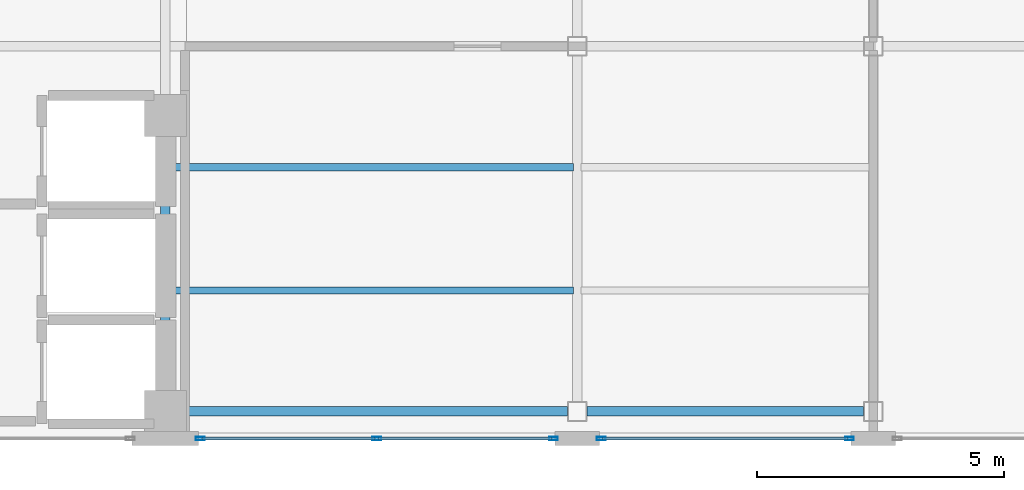
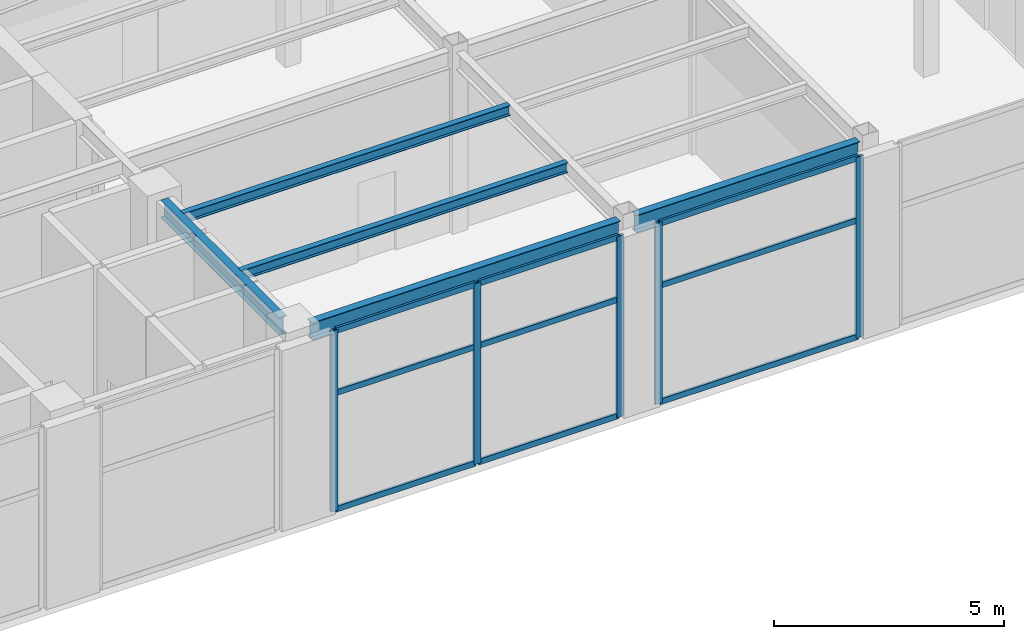
# One storey, part 4 of 14: 14 members, 5 beams, 2 elements without a shape of their own.
"""IFC4 building model written with IfcOpenShell, lengths in metres."""

from ifc_helpers import new_model, si_unit, direction, frame, origin, origin_2d, place, context, subcontext, project, spatial, hollow_rectangle, i_section, extrude, material, layer, layer_set, material_profile, profile_set, type_object, element, aggregate, save


model = new_model("IFC4")

# Units and contexts
model_context = context("Model", 3, precision=1e-05, world=origin(), true_north=direction((0.0, 1.0)))
body_context = subcontext(model_context, "Body", "Model", "MODEL_VIEW")
ifc_project = project(units=[si_unit("LENGTHUNIT", "METRE"), si_unit("AREAUNIT", "SQUARE_METRE"), si_unit("VOLUMEUNIT", "CUBIC_METRE"), si_unit("PLANEANGLEUNIT", "RADIAN"), si_unit("MASSUNIT", "GRAM", prefix="KILO")], contexts=[model_context])

# Site, building, storey
site_placement = place(None, origin())
site = spatial("IfcSite", under=ifc_project, at=site_placement, CompositionType="ELEMENT")
building_placement = place(site_placement, origin())
building = spatial("IfcBuilding", under=site, at=building_placement, Name="Mawjaban Terraces University", CompositionType="ELEMENT")
storey_placement = place(building_placement, frame((0.0, 0.0, 243.199951171875)))
storey = spatial("IfcBuildingStorey", under=building, at=storey_placement, Name="L59", CompositionType="ELEMENT", Elevation=243.199951171875)

# Beams
ifc_material_1 = material(Name="Steel ASTM A572 Grade 50", Category="steel")
ifc_material_profile_1 = material_profile(ifc_material_1, i_section(OverallWidth=0.19189453125, OverallDepth=0.462890625, WebThickness=0.010498046875, FlangeThickness=0.017578125, at=origin_2d()), Name="W460X89")
ifc_profile_set_1 = profile_set([ifc_material_profile_1], Name="Steel ASTM A572 Grade 50")
beam_type_1 = type_object("IfcBeamType", Name="Beam_B_W460X89", PredefinedType="BEAM", material=ifc_profile_set_1)
beam_1_placement = place(storey_placement, frame((38.074951171875, 0.550048828125, 4.55810546875), z_axis=(1.0, 0.0, 0.0), x_axis=(0.0, 1.0, 0.0)))
element("IfcBeam", 1, at=beam_1_placement, inside=storey, type_object=beam_type_1, Name="L59 Beam BM-L59-EW-01", PredefinedType="BEAM", context=body_context, shape_type="SweptSolid", body=[
    extrude(i_section(OverallWidth=0.19189453125, OverallDepth=0.462890625, WebThickness=0.010498046875, FlangeThickness=0.017578125, at=origin_2d()), origin(), (0.0, 0.0, 1.0), 7.72509765625),
])
beam_2_placement = place(storey_placement, frame((46.199951171875, 0.550048828125, 4.55810546875), z_axis=(1.0, 0.0, 0.0), x_axis=(0.0, 1.0, 0.0)))
element("IfcBeam", 2, at=beam_2_placement, inside=storey, type_object=beam_type_1, Name="L59 Beam BM-L59-EW-02", PredefinedType="BEAM", context=body_context, shape_type="SweptSolid", body=[
    extrude(i_section(OverallWidth=0.19189453125, OverallDepth=0.462890625, WebThickness=0.010498046875, FlangeThickness=0.017578125, at=origin_2d()), origin(), (0.0, 0.0, 1.0), 5.60009765625),
])
beam_3_placement = place(storey_placement, frame((37.64990234375, 0.97509765625, 4.55810546875), z_axis=(0.0, 1.0, 0.0), x_axis=(-1.0, 0.0, 0.0)))
element("IfcBeam", 3, at=beam_3_placement, inside=storey, type_object=beam_type_1, Name="L59 Beam BM-L59-NS-04", PredefinedType="BEAM", context=body_context, shape_type="SweptSolid", body=[
    extrude(i_section(OverallWidth=0.19189453125, OverallDepth=0.462890625, WebThickness=0.010498046875, FlangeThickness=0.017578125, at=origin_2d()), origin(), (0.0, 0.0, 1.0), 5.14990234375),
])
ifc_material_profile_2 = material_profile(ifc_material_1, i_section(OverallWidth=0.14794921875, OverallDepth=0.26611328125, WebThickness=0.007568359375, FlangeThickness=0.012939453125, at=origin_2d()), Name="W250X45")
ifc_profile_set_2 = profile_set([ifc_material_profile_2], Name="Steel ASTM A572 Grade 50")
beam_type_2 = type_object("IfcBeamType", Name="Beam_J_W250X45", PredefinedType="JOIST", material=ifc_profile_set_2)
for number, where, z_axis, x_axis, name in (
    (4, (37.72998046875, 3.0, 4.656982421875), (1.0, 0.0, 0.0), (0.0, 1.0, 0.0), "L59 Composite Joist JST-L59-01"),
    (5, (37.72998046875, 5.5, 4.656982421875), (1.0, 0.0, 0.0), (0.0, 1.0, 0.0), "L59 Composite Joist JST-L59-03"),
):
    element("IfcBeam", number, at=place(storey_placement, frame(where, z_axis=z_axis, x_axis=x_axis)), inside=storey, type_object=beam_type_2, Name=name, PredefinedType="JOIST", context=body_context, shape_type="SweptSolid", body=[
        extrude(i_section(OverallWidth=0.14794921875, OverallDepth=0.26611328125, WebThickness=0.007568359375, FlangeThickness=0.012939453125, at=origin_2d()), origin(), (0.0, 0.0, 1.0), 8.18994140625),
    ])

# Curtain wall, members
ifc_material_2 = material(Name="Anodised aluminium 6063-T6 and solar-control low-E glass", Category="aluminium")
ifc_layer = layer(ifc_material_2, 0.18994140625)
ifc_layer_set = layer_set([ifc_layer], Name="Anodised aluminium 6063-T6 and solar-control low-E glass")
curtain_wall_type = type_object("IfcCurtainWallType", Name="CWSystem_05_SkyLobby", PredefinedType="NOTDEFINED", material=ifc_layer_set)
curtain_wall_1_placement = place(storey_placement, origin())
curtain_wall_1 = element("IfcCurtainWall", 6, at=curtain_wall_1_placement, inside=storey, type_object=curtain_wall_type, Name="L59 Curtain Wall CW-05 Run 1.3", PredefinedType="NOTDEFINED")
ifc_material_3 = material(Name="Anodised aluminium 6063-T6", Category="aluminium")
ifc_material_profile_3 = material_profile(ifc_material_3, hollow_rectangle(XDim=0.06494140625, YDim=0.179931640625, WallThickness=0.00390625, at=origin_2d()), Name="ALU180X65X4")
ifc_profile_set_3 = profile_set([ifc_material_profile_3], Name="Anodised aluminium 6063-T6")
member_type_1 = type_object("IfcMemberType", Name="Mullion_CW-05", PredefinedType="MULLION", material=ifc_profile_set_3)
member_1_placement = place(storey_placement, frame((38.357421875, 0.0, 0.0), z_axis=(0.0, 0.0, 1.0), x_axis=(0.0, 1.0, 0.0)))
member_1 = element("IfcMember", 7, at=member_1_placement, type_object=member_type_1, Name="CW-05 mullion 1", PredefinedType="MULLION", context=body_context, shape_type="SweptSolid", body=[
    extrude(hollow_rectangle(XDim=0.06494140625, YDim=0.179931640625, WallThickness=0.00390625, at=origin_2d()), origin(), (0.0, 0.0, 1.0), 4.7900390625),
])
member_2_placement = place(storey_placement, frame((41.9375, 0.0, 0.0), z_axis=(0.0, 0.0, 1.0), x_axis=(0.0, 1.0, 0.0)))
member_2 = element("IfcMember", 8, at=member_2_placement, type_object=member_type_1, Name="CW-05 mullion 2", PredefinedType="MULLION", context=body_context, shape_type="SweptSolid", body=[
    extrude(hollow_rectangle(XDim=0.06494140625, YDim=0.179931640625, WallThickness=0.00390625, at=origin_2d()), origin(), (0.0, 0.0, 1.0), 4.7900390625),
])
member_3_placement = place(storey_placement, frame((45.517578125, 0.0, 0.0), z_axis=(0.0, 0.0, 1.0), x_axis=(0.0, 1.0, 0.0)))
member_3 = element("IfcMember", 9, at=member_3_placement, type_object=member_type_1, Name="CW-05 mullion 3", PredefinedType="MULLION", context=body_context, shape_type="SweptSolid", body=[
    extrude(hollow_rectangle(XDim=0.06494140625, YDim=0.179931640625, WallThickness=0.00390625, at=origin_2d()), origin(), (0.0, 0.0, 1.0), 4.7900390625),
])

curtain_wall_2_placement = place(storey_placement, origin())
curtain_wall_2 = element("IfcCurtainWall", 10, at=curtain_wall_2_placement, inside=storey, type_object=curtain_wall_type, Name="L59 Curtain Wall CW-05 Run 1.4", PredefinedType="NOTDEFINED")
member_4_placement = place(storey_placement, frame((46.482421875, 0.0, 0.0), z_axis=(0.0, 0.0, 1.0), x_axis=(0.0, 1.0, 0.0)))
member_4 = element("IfcMember", 11, at=member_4_placement, type_object=member_type_1, Name="CW-05 mullion 1", PredefinedType="MULLION", context=body_context, shape_type="SweptSolid", body=[
    extrude(hollow_rectangle(XDim=0.06494140625, YDim=0.179931640625, WallThickness=0.00390625, at=origin_2d()), origin(), (0.0, 0.0, 1.0), 4.7900390625),
])
member_5_placement = place(storey_placement, frame((51.517578125, 0.0, 0.0), z_axis=(0.0, 0.0, 1.0), x_axis=(0.0, 1.0, 0.0)))
member_5 = element("IfcMember", 12, at=member_5_placement, type_object=member_type_1, Name="CW-05 mullion 2", PredefinedType="MULLION", context=body_context, shape_type="SweptSolid", body=[
    extrude(hollow_rectangle(XDim=0.06494140625, YDim=0.179931640625, WallThickness=0.00390625, at=origin_2d()), origin(), (0.0, 0.0, 1.0), 4.7900390625),
])

# Member
ifc_material_profile_4 = material_profile(ifc_material_3, hollow_rectangle(XDim=0.06005859375, YDim=0.14990234375, WallThickness=0.00390625, at=origin_2d()), Name="ALU150X60X4")
ifc_profile_set_4 = profile_set([ifc_material_profile_4], Name="Anodised aluminium 6063-T6")
member_type_2 = type_object("IfcMemberType", Name="Transom_CW-05", PredefinedType="NOTDEFINED", material=ifc_profile_set_4)
member_6_placement = place(storey_placement, frame((38.389892578125, 0.0, 0.030029296875), z_axis=(1.0, 0.0, 0.0), x_axis=(0.0, 1.0, 0.0)))
member_6 = element("IfcMember", 13, at=member_6_placement, type_object=member_type_2, Name="CW-05 transom 1.1", ObjectType="TRANSOM", PredefinedType="USERDEFINED", context=body_context, shape_type="SweptSolid", body=[
    extrude(hollow_rectangle(XDim=0.06005859375, YDim=0.14990234375, WallThickness=0.00390625, at=origin_2d()), origin(), (0.0, 0.0, 1.0), 3.51513671875),
])

member_7_placement = place(storey_placement, frame((38.389892578125, 0.0, 3.114013671875), z_axis=(1.0, 0.0, 0.0), x_axis=(0.0, 1.0, 0.0)))
member_7 = element("IfcMember", 14, at=member_7_placement, type_object=member_type_2, Name="CW-05 transom 1.2", ObjectType="TRANSOM", PredefinedType="USERDEFINED", context=body_context, shape_type="SweptSolid", body=[
    extrude(hollow_rectangle(XDim=0.06005859375, YDim=0.14990234375, WallThickness=0.00390625, at=origin_2d()), origin(), (0.0, 0.0, 1.0), 3.51513671875),
])

member_8_placement = place(storey_placement, frame((38.389892578125, 0.0, 4.760009765625), z_axis=(1.0, 0.0, 0.0), x_axis=(0.0, 1.0, 0.0)))
member_8 = element("IfcMember", 15, at=member_8_placement, type_object=member_type_2, Name="CW-05 transom 1.3", ObjectType="TRANSOM", PredefinedType="USERDEFINED", context=body_context, shape_type="SweptSolid", body=[
    extrude(hollow_rectangle(XDim=0.06005859375, YDim=0.14990234375, WallThickness=0.00390625, at=origin_2d()), origin(), (0.0, 0.0, 1.0), 3.51513671875),
])

member_9_placement = place(storey_placement, frame((41.969970703125, 0.0, 0.030029296875), z_axis=(1.0, 0.0, 0.0), x_axis=(0.0, 1.0, 0.0)))
member_9 = element("IfcMember", 16, at=member_9_placement, type_object=member_type_2, Name="CW-05 transom 2.1", ObjectType="TRANSOM", PredefinedType="USERDEFINED", context=body_context, shape_type="SweptSolid", body=[
    extrude(hollow_rectangle(XDim=0.06005859375, YDim=0.14990234375, WallThickness=0.00390625, at=origin_2d()), origin(), (0.0, 0.0, 1.0), 3.51513671875),
])

member_10_placement = place(storey_placement, frame((41.969970703125, 0.0, 3.114013671875), z_axis=(1.0, 0.0, 0.0), x_axis=(0.0, 1.0, 0.0)))
member_10 = element("IfcMember", 17, at=member_10_placement, type_object=member_type_2, Name="CW-05 transom 2.2", ObjectType="TRANSOM", PredefinedType="USERDEFINED", context=body_context, shape_type="SweptSolid", body=[
    extrude(hollow_rectangle(XDim=0.06005859375, YDim=0.14990234375, WallThickness=0.00390625, at=origin_2d()), origin(), (0.0, 0.0, 1.0), 3.51513671875),
])

member_11_placement = place(storey_placement, frame((41.969970703125, 0.0, 4.760009765625), z_axis=(1.0, 0.0, 0.0), x_axis=(0.0, 1.0, 0.0)))
member_11 = element("IfcMember", 18, at=member_11_placement, type_object=member_type_2, Name="CW-05 transom 2.3", ObjectType="TRANSOM", PredefinedType="USERDEFINED", context=body_context, shape_type="SweptSolid", body=[
    extrude(hollow_rectangle(XDim=0.06005859375, YDim=0.14990234375, WallThickness=0.00390625, at=origin_2d()), origin(), (0.0, 0.0, 1.0), 3.51513671875),
])

aggregate(curtain_wall_1, [member_1, member_2, member_3, member_6, member_7, member_8, member_9, member_10, member_11])

member_12_placement = place(storey_placement, frame((46.514892578125, 0.0, 0.030029296875), z_axis=(1.0, 0.0, 0.0), x_axis=(0.0, 1.0, 0.0)))
member_12 = element("IfcMember", 19, at=member_12_placement, type_object=member_type_2, Name="CW-05 transom 1.1", ObjectType="TRANSOM", PredefinedType="USERDEFINED", context=body_context, shape_type="SweptSolid", body=[
    extrude(hollow_rectangle(XDim=0.06005859375, YDim=0.14990234375, WallThickness=0.00390625, at=origin_2d()), origin(), (0.0, 0.0, 1.0), 4.97021484375),
])

member_13_placement = place(storey_placement, frame((46.514892578125, 0.0, 3.114013671875), z_axis=(1.0, 0.0, 0.0), x_axis=(0.0, 1.0, 0.0)))
member_13 = element("IfcMember", 20, at=member_13_placement, type_object=member_type_2, Name="CW-05 transom 1.2", ObjectType="TRANSOM", PredefinedType="USERDEFINED", context=body_context, shape_type="SweptSolid", body=[
    extrude(hollow_rectangle(XDim=0.06005859375, YDim=0.14990234375, WallThickness=0.00390625, at=origin_2d()), origin(), (0.0, 0.0, 1.0), 4.97021484375),
])

member_14_placement = place(storey_placement, frame((46.514892578125, 0.0, 4.760009765625), z_axis=(1.0, 0.0, 0.0), x_axis=(0.0, 1.0, 0.0)))
member_14 = element("IfcMember", 21, at=member_14_placement, type_object=member_type_2, Name="CW-05 transom 1.3", ObjectType="TRANSOM", PredefinedType="USERDEFINED", context=body_context, shape_type="SweptSolid", body=[
    extrude(hollow_rectangle(XDim=0.06005859375, YDim=0.14990234375, WallThickness=0.00390625, at=origin_2d()), origin(), (0.0, 0.0, 1.0), 4.97021484375),
])

aggregate(curtain_wall_2, [member_4, member_5, member_12, member_13, member_14])

save(model, "model.ifc")
